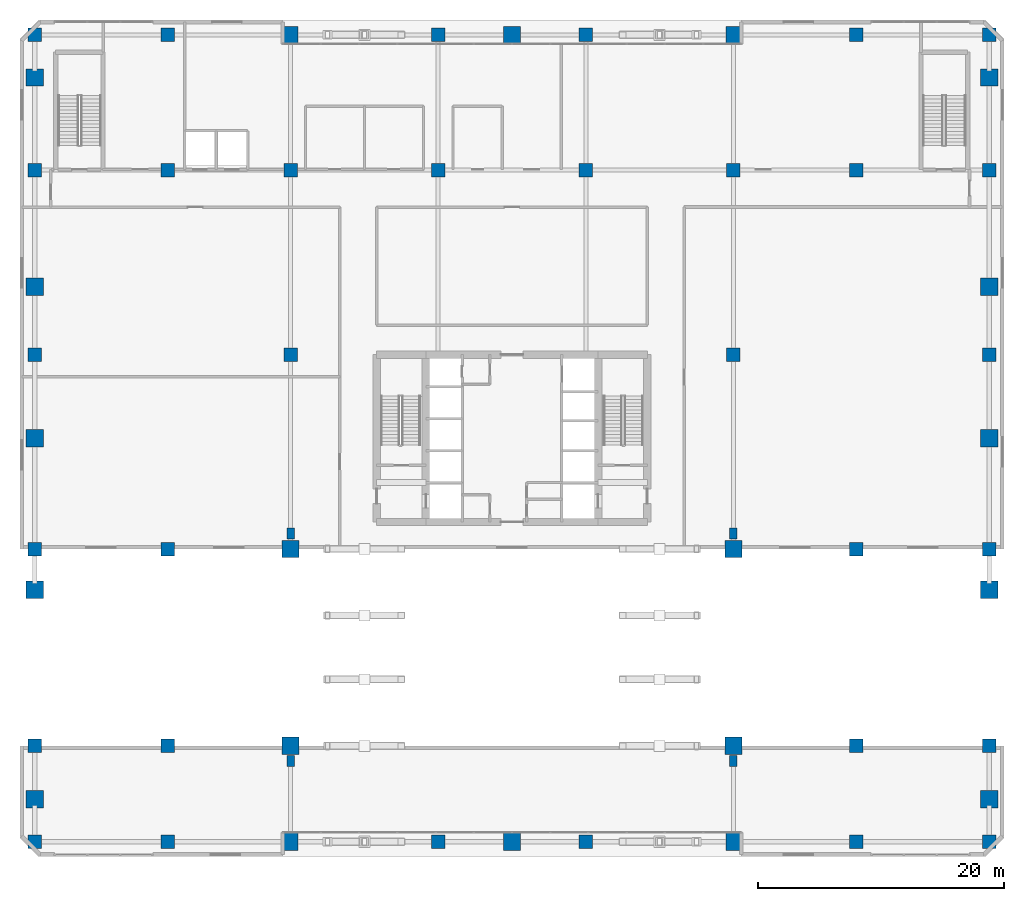
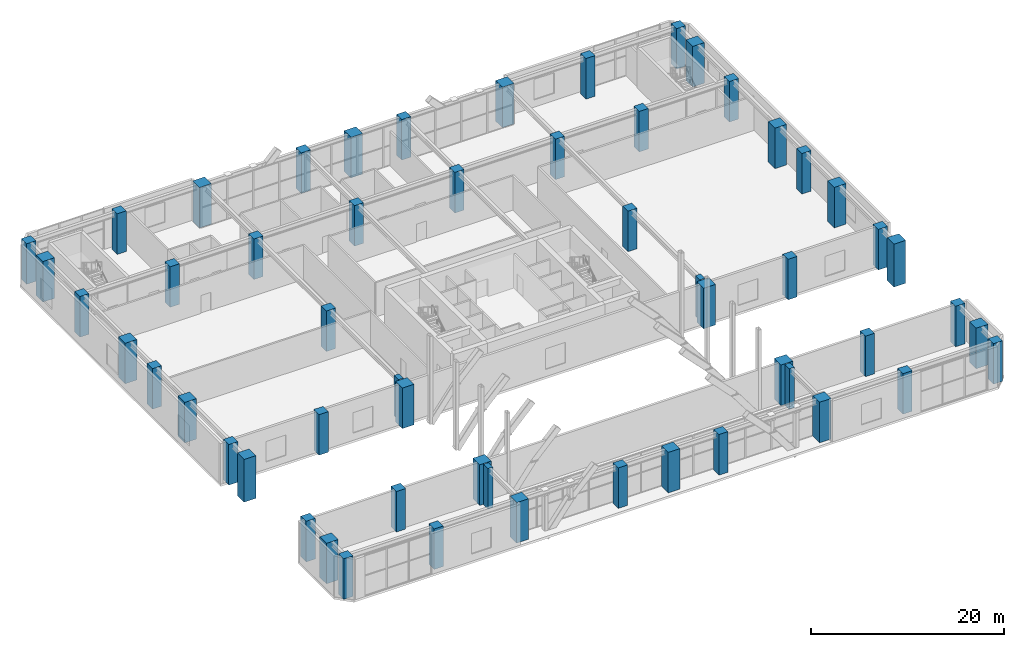
# One storey, part 1 of 28: 56 columns.
"""IFC4 building model written with IfcOpenShell, lengths in metres."""

from ifc_helpers import new_model, si_unit, direction, frame, origin, origin_2d, place, context, subcontext, project, spatial, rectangle, extrude, material, material_profile, profile_set, type_object, element, save


model = new_model("IFC4")

# Units and contexts
model_context = context("Model", 3, precision=1e-05, world=origin(), true_north=direction((0.0, 1.0)))
body_context = subcontext(model_context, "Body", "Model", "MODEL_VIEW")
ifc_project = project(units=[si_unit("LENGTHUNIT", "METRE"), si_unit("AREAUNIT", "SQUARE_METRE"), si_unit("VOLUMEUNIT", "CUBIC_METRE"), si_unit("PLANEANGLEUNIT", "RADIAN"), si_unit("MASSUNIT", "GRAM", prefix="KILO")], contexts=[model_context])

# Site, building, storey
site_placement = place(None, origin())
site = spatial("IfcSite", under=ifc_project, at=site_placement, CompositionType="ELEMENT")
building_placement = place(site_placement, origin())
building = spatial("IfcBuilding", under=site, at=building_placement, Name="Sarneth Arch Tower", CompositionType="ELEMENT")
storey_placement = place(building_placement, frame((0.0, 0.0, 6.0)))
storey = spatial("IfcBuildingStorey", under=building, at=storey_placement, Name="L01", CompositionType="ELEMENT", Elevation=6.0)

# Columns
ifc_material_1 = material(Name="Concrete C60/75", Category="concrete")
ifc_material_profile_1 = material_profile(ifc_material_1, rectangle(XDim=1.10009765625, YDim=1.10009765625, at=origin_2d()), Name="RC-1100x1100")
ifc_profile_set_1 = profile_set([ifc_material_profile_1], Name="Concrete C60/75")
column_type_1 = type_object("IfcColumnType", Name="COL-RC-1100", PredefinedType="COLUMN", material=ifc_profile_set_1)
for number, where, z_axis, x_axis, name in (
    (1, (9.199951171875, 74.800048828125, 0.0), (0.0, 0.0, 1.0), (1.0, 0.0, 0.0), "L01 Podium column PN01"),
    (2, (9.199951171875, 9.199951171875, 0.0), (0.0, 0.0, 1.0), (1.0, 0.0, 0.0), "L01 Podium column PS01"),
    (3, (9.199951171875, 63.800048828125, 0.0), (0.0, 0.0, 1.0), (1.0, 0.0, 0.0), "L01 Podium column PC01"),
    (4, (20.0, 74.800048828125, 0.0), (0.0, 0.0, 1.0), (1.0, 0.0, 0.0), "L01 Podium column PN02"),
    (5, (20.0, 9.199951171875, 0.0), (0.0, 0.0, 1.0), (1.0, 0.0, 0.0), "L01 Podium column PS02"),
    (6, (20.0, 63.800048828125, 0.0), (0.0, 0.0, 1.0), (1.0, 0.0, 0.0), "L01 Podium column PC02"),
    (7, (30.0, 63.800048828125, 0.0), (0.0, 0.0, 1.0), (1.0, 0.0, 0.0), "L01 Podium column PC03"),
    (8, (42.0, 74.800048828125, 0.0), (0.0, 0.0, 1.0), (1.0, 0.0, 0.0), "L01 Podium column PN04"),
    (9, (42.0, 9.199951171875, 0.0), (0.0, 0.0, 1.0), (1.0, 0.0, 0.0), "L01 Podium column PS04"),
    (10, (42.0, 63.800048828125, 0.0), (0.0, 0.0, 1.0), (1.0, 0.0, 0.0), "L01 Podium column PC04"),
    (11, (54.0, 74.800048828125, 0.0), (0.0, 0.0, 1.0), (1.0, 0.0, 0.0), "L01 Podium column PN05"),
    (12, (54.0, 9.199951171875, 0.0), (0.0, 0.0, 1.0), (1.0, 0.0, 0.0), "L01 Podium column PS05"),
    (13, (54.0, 63.800048828125, 0.0), (0.0, 0.0, 1.0), (1.0, 0.0, 0.0), "L01 Podium column PC05"),
    (14, (66.0, 63.800048828125, 0.0), (0.0, 0.0, 1.0), (1.0, 0.0, 0.0), "L01 Podium column PC06"),
    (15, (76.0, 74.800048828125, 0.0), (0.0, 0.0, 1.0), (1.0, 0.0, 0.0), "L01 Podium column PN07"),
    (16, (76.0, 9.199951171875, 0.0), (0.0, 0.0, 1.0), (1.0, 0.0, 0.0), "L01 Podium column PS07"),
    (17, (76.0, 63.800048828125, 0.0), (0.0, 0.0, 1.0), (1.0, 0.0, 0.0), "L01 Podium column PC07"),
    (18, (86.800048828125, 74.800048828125, 0.0), (0.0, 0.0, 1.0), (1.0, 0.0, 0.0), "L01 Podium column PN08"),
    (19, (86.800048828125, 9.199951171875, 0.0), (0.0, 0.0, 1.0), (1.0, 0.0, 0.0), "L01 Podium column PS08"),
    (20, (86.800048828125, 63.800048828125, 0.0), (0.0, 0.0, 1.0), (1.0, 0.0, 0.0), "L01 Podium column PC08"),
    (21, (9.199951171875, 17.0, 0.0), (0.0, 0.0, 1.0), (1.0, 0.0, 0.0), "L01 Podium column PW01"),
    (22, (86.800048828125, 17.0, 0.0), (0.0, 0.0, 1.0), (1.0, 0.0, 0.0), "L01 Podium column PE01"),
    (23, (9.199951171875, 33.0, 0.0), (0.0, 0.0, 1.0), (1.0, 0.0, 0.0), "L01 Podium column PW02"),
    (24, (86.800048828125, 33.0, 0.0), (0.0, 0.0, 1.0), (1.0, 0.0, 0.0), "L01 Podium column PE02"),
    (25, (9.199951171875, 48.800048828125, 0.0), (0.0, 0.0, 1.0), (1.0, 0.0, 0.0), "L01 Podium column PW03"),
    (26, (86.800048828125, 48.800048828125, 0.0), (0.0, 0.0, 1.0), (1.0, 0.0, 0.0), "L01 Podium column PE03"),
    (27, (20.0, 17.0, 0.0), (0.0, 0.0, 1.0), (1.0, 0.0, 0.0), "L01 Podium column AS-W1"),
    (28, (76.0, 17.0, 0.0), (0.0, 0.0, 1.0), (1.0, 0.0, 0.0), "L01 Podium column AS-E1"),
    (29, (20.0, 33.0, 0.0), (0.0, 0.0, 1.0), (1.0, 0.0, 0.0), "L01 Podium column AN-W1"),
    (30, (76.0, 33.0, 0.0), (0.0, 0.0, 1.0), (1.0, 0.0, 0.0), "L01 Podium column AN-E1"),
    (31, (30.0, 48.800048828125, 0.0), (0.0, 0.0, 1.0), (1.0, 0.0, 0.0), "L01 Podium column WC-W1"),
    (32, (66.0, 48.800048828125, 0.0), (0.0, 0.0, 1.0), (1.0, 0.0, 0.0), "L01 Podium column WC-E1"),
):
    element("IfcColumn", number, at=place(storey_placement, frame(where, z_axis=z_axis, x_axis=x_axis)), inside=storey, type_object=column_type_1, Name=name, PredefinedType="COLUMN", context=body_context, shape_type="SweptSolid", body=[
        extrude(rectangle(XDim=1.10009765625, YDim=1.10009765625, at=origin_2d()), origin(), (0.0, 0.0, 1.0), 5.1201171875),
    ])
ifc_material_2 = material(Name="Concrete C60/75", Category="concrete")
ifc_material_profile_2 = material_profile(ifc_material_2, rectangle(XDim=1.39990234375, YDim=1.39990234375, at=origin_2d()), Name="RC-1400x1400")
ifc_profile_set_2 = profile_set([ifc_material_profile_2], Name="Concrete C60/75")
column_type_2 = type_object("IfcColumnType", Name="COL-RC-1400", PredefinedType="COLUMN", material=ifc_profile_set_2)
for number, where, z_axis, x_axis, name in (
    (33, (30.0, 17.0, 0.0), (0.0, 0.0, 1.0), (1.0, 0.0, 0.0), "L01 Podium column AP-SW"),
    (34, (66.0, 17.0, 0.0), (0.0, 0.0, 1.0), (1.0, 0.0, 0.0), "L01 Podium column AP-SE"),
    (35, (30.0, 33.0, 0.0), (0.0, 0.0, 1.0), (1.0, 0.0, 0.0), "L01 Podium column AP-NW"),
    (36, (66.0, 33.0, 0.0), (0.0, 0.0, 1.0), (1.0, 0.0, 0.0), "L01 Podium column AP-NE"),
    (37, (86.800048828125, 42.0, 0.0), (0.0, 0.0, 1.0), (1.0, 0.0, 0.0), "L01 Podium column PX01"),
    (38, (86.800048828125, 54.31787109375, 0.0), (0.0, 0.0, 1.0), (1.0, 0.0, 0.0), "L01 Podium column PX02"),
    (39, (86.800048828125, 71.336669921875, 0.0), (0.0, 0.0, 1.0), (1.0, 0.0, 0.0), "L01 Podium column PX03"),
    (40, (66.08447265625, 74.800048828125, 0.0), (0.0, 0.0, 1.0), (1.0, 0.0, 0.0), "L01 Podium column PX04"),
    (41, (48.0, 74.800048828125, 0.0), (0.0, 0.0, 1.0), (1.0, 0.0, 0.0), "L01 Podium column PX05"),
    (42, (29.91552734375, 74.800048828125, 0.0), (0.0, 0.0, 1.0), (1.0, 0.0, 0.0), "L01 Podium column PX06"),
    (43, (9.199951171875, 71.336669921875, 0.0), (0.0, 0.0, 1.0), (1.0, 0.0, 0.0), "L01 Podium column PX07"),
    (44, (9.199951171875, 54.31787109375, 0.0), (0.0, 0.0, 1.0), (1.0, 0.0, 0.0), "L01 Podium column PX08"),
    (45, (9.199951171875, 42.0, 0.0), (0.0, 0.0, 1.0), (1.0, 0.0, 0.0), "L01 Podium column PX09"),
):
    element("IfcColumn", number, at=place(storey_placement, frame(where, z_axis=z_axis, x_axis=x_axis)), inside=storey, type_object=column_type_2, Name=name, PredefinedType="COLUMN", context=body_context, shape_type="SweptSolid", body=[
        extrude(rectangle(XDim=1.39990234375, YDim=1.39990234375, at=origin_2d()), origin(), (0.0, 0.0, 1.0), 5.1201171875),
    ])
column_1_placement = place(storey_placement, frame((9.199951171875, 29.68212890625, 0.0), z_axis=(0.0, 0.0, 1.0), x_axis=(1.0, 0.0, 0.0)))
element("IfcColumn", 46, at=column_1_placement, inside=storey, type_object=column_type_2, Name="L01 Podium column PX10", PredefinedType="COLUMN", context=body_context, shape_type="SweptSolid", body=[
    extrude(rectangle(XDim=1.39990234375, YDim=1.39990234375, at=origin_2d()), origin(), (0.0, 0.0, 1.0), 5.39990234375),
])
for number, where, z_axis, x_axis, name in (
    (47, (9.199951171875, 12.663330078125, 0.0), (0.0, 0.0, 1.0), (1.0, 0.0, 0.0), "L01 Podium column PX11"),
    (48, (29.91552734375, 9.199951171875, 0.0), (0.0, 0.0, 1.0), (1.0, 0.0, 0.0), "L01 Podium column PX12"),
    (49, (48.0, 9.199951171875, 0.0), (0.0, 0.0, 1.0), (1.0, 0.0, 0.0), "L01 Podium column PX13"),
    (50, (66.08447265625, 9.199951171875, 0.0), (0.0, 0.0, 1.0), (1.0, 0.0, 0.0), "L01 Podium column PX14"),
    (51, (86.800048828125, 12.663330078125, 0.0), (0.0, 0.0, 1.0), (1.0, 0.0, 0.0), "L01 Podium column PX15"),
):
    element("IfcColumn", number, at=place(storey_placement, frame(where, z_axis=z_axis, x_axis=x_axis)), inside=storey, type_object=column_type_2, Name=name, PredefinedType="COLUMN", context=body_context, shape_type="SweptSolid", body=[
        extrude(rectangle(XDim=1.39990234375, YDim=1.39990234375, at=origin_2d()), origin(), (0.0, 0.0, 1.0), 5.1201171875),
    ])
column_2_placement = place(storey_placement, frame((86.800048828125, 29.68212890625, 0.0), z_axis=(0.0, 0.0, 1.0), x_axis=(1.0, 0.0, 0.0)))
element("IfcColumn", 52, at=column_2_placement, inside=storey, type_object=column_type_2, Name="L01 Podium column PX16", PredefinedType="COLUMN", context=body_context, shape_type="SweptSolid", body=[
    extrude(rectangle(XDim=1.39990234375, YDim=1.39990234375, at=origin_2d()), origin(), (0.0, 0.0, 1.0), 5.39990234375),
])
ifc_material_3 = material(Name="Concrete C60/75", Category="concrete")
ifc_material_profile_3 = material_profile(ifc_material_3, rectangle(XDim=0.60009765625, YDim=0.89990234375, at=origin_2d()), Name="RC-600x900")
ifc_profile_set_3 = profile_set([ifc_material_profile_3], Name="Concrete C60/75")
column_type_3 = type_object("IfcColumnType", Name="PIL-RC-600x900", PredefinedType="PILASTER", material=ifc_profile_set_3)
for number, where, z_axis, x_axis, name in (
    (53, (30.0, 15.75, 0.0), (0.0, 0.0, 1.0), (1.0, 0.0, 0.0), "L01 Arch pilaster PIL-SW"),
    (54, (30.0, 34.25, 0.0), (0.0, 0.0, 1.0), (1.0, 0.0, 0.0), "L01 Arch pilaster PIL-NW"),
    (55, (66.0, 15.75, 0.0), (0.0, 0.0, 1.0), (1.0, 0.0, 0.0), "L01 Arch pilaster PIL-SE"),
    (56, (66.0, 34.25, 0.0), (0.0, 0.0, 1.0), (1.0, 0.0, 0.0), "L01 Arch pilaster PIL-NE"),
):
    element("IfcColumn", number, at=place(storey_placement, frame(where, z_axis=z_axis, x_axis=x_axis)), inside=storey, type_object=column_type_3, Name=name, PredefinedType="PILASTER", context=body_context, shape_type="SweptSolid", body=[
        extrude(rectangle(XDim=0.60009765625, YDim=0.89990234375, at=origin_2d()), origin(), (0.0, 0.0, 1.0), 5.1201171875),
    ])

save(model, "model.ifc")
